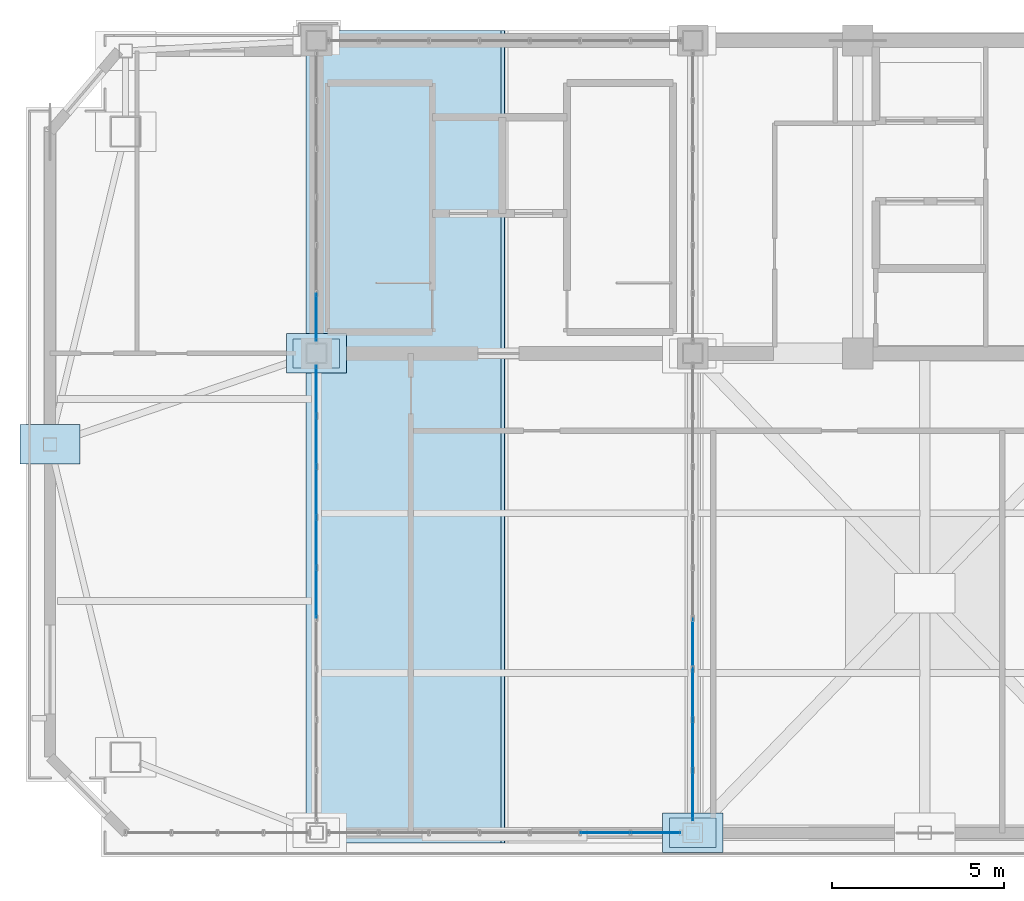
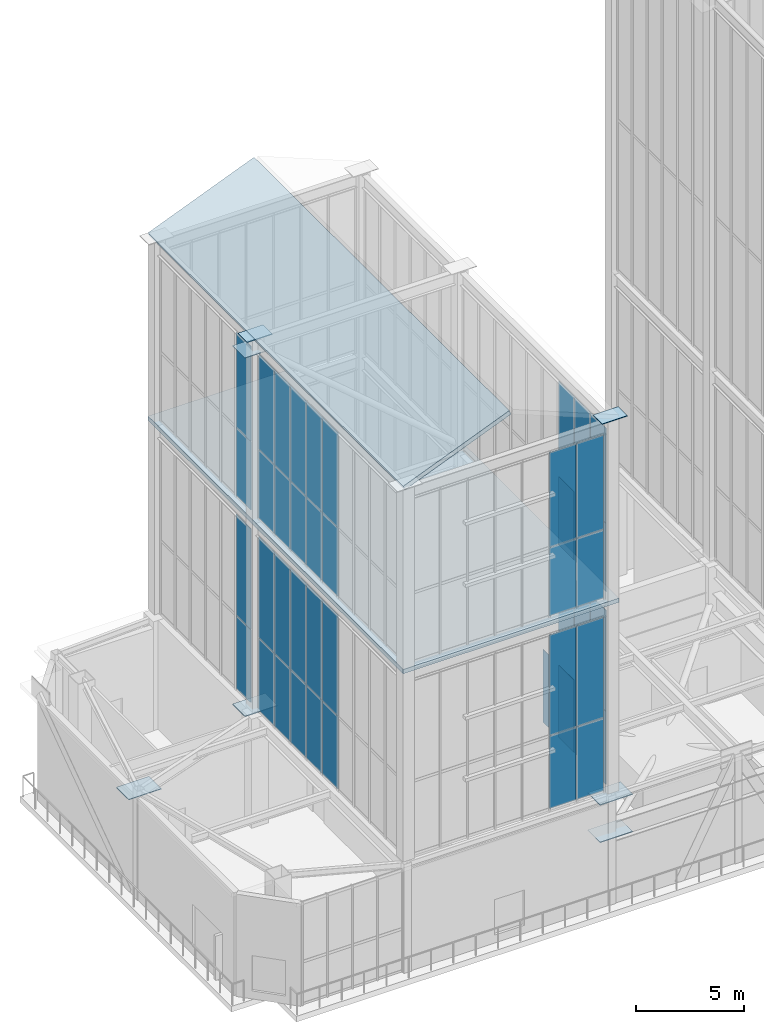
# One storey, part 124 of 135: 52 plates, 2 slabs, 8 elements without a shape of their own.
"""IFC4 building model written with IfcOpenShell, lengths in metres."""

from ifc_helpers import new_model, si_unit, direction, frame, origin, origin_2d, place, context, subcontext, project, spatial, polyline, rectangle, outline, extrude, source, transform, mapped, material, layer, layer_set, type_object, element, aggregate, save


model = new_model("IFC4")

# Units and contexts
model_context = context("Model", 3, precision=1e-05, world=origin(), true_north=direction((0.0, 1.0)))
body_context = subcontext(model_context, "Body", "Model", "MODEL_VIEW")
ifc_project = project(units=[si_unit("LENGTHUNIT", "METRE"), si_unit("AREAUNIT", "SQUARE_METRE"), si_unit("VOLUMEUNIT", "CUBIC_METRE"), si_unit("PLANEANGLEUNIT", "RADIAN"), si_unit("MASSUNIT", "GRAM", prefix="KILO")], contexts=[model_context])

# Site, building, storey
site_placement = place(None, origin())
site = spatial("IfcSite", under=ifc_project, at=site_placement, CompositionType="ELEMENT")
building_placement = place(site_placement, origin())
building = spatial("IfcBuilding", under=site, at=building_placement, Name="Giltprow Tower", CompositionType="ELEMENT")
storey_placement = place(building_placement, frame((0.0, 0.0, 352.699951171875)))
storey = spatial("IfcBuildingStorey", under=building, at=storey_placement, Name="L92", CompositionType="ELEMENT", Elevation=352.699951171875)

# Slabs
ifc_material_1 = material(Name="Concrete C40", Category="concrete")
ifc_layer_1 = layer(ifc_material_1, 0.239990234375, Name="Concrete C40")
ifc_layer_set_1 = layer_set([ifc_layer_1], Name="Concrete C40")
slab_type_1 = type_object("IfcSlabType", Name="SLB-CRN-DECK-240", PredefinedType="USERDEFINED", material=ifc_layer_set_1)
slab_1_placement = place(storey_placement, frame((0.0, 0.0, 17.06005859375)))
element("IfcSlab", 1, at=slab_1_placement, inside=storey, type_object=slab_type_1, Name="Crown West Lantern Plant Deck", ObjectType="PLANT_DECK", PredefinedType="USERDEFINED", context=body_context, shape_type="SweptSolid", body=[
    extrude(outline(polyline([(19.550048828125, 23.199951171875), (31.10009765625, 23.199951171875), (31.10009765625, 46.85009765625), (19.550048828125, 46.85009765625), (19.550048828125, 23.199951171875)])), origin(), (0.0, 0.0, 1.0), 0.239990234375),
])
ifc_layer_2 = layer(ifc_material_1, 0.25, Name="Concrete C40")
ifc_layer_set_2 = layer_set([ifc_layer_2], Name="Concrete C40")
slab_type_2 = type_object("IfcSlabType", Name="SLB-CRN-ROOF-250", PredefinedType="ROOF", material=ifc_layer_set_2)
slab_2_placement = place(storey_placement, frame((19.550048828125, 23.199951171875, 27.6669921875), z_axis=(-0.37450985994, 0.0, 0.927222931558), x_axis=(0.927222931558, 0.0, 0.37450985994)))
element("IfcSlab", 2, at=slab_2_placement, inside=storey, type_object=slab_type_2, Name="Crown West Pitched Roof Slab West", PredefinedType="ROOF", context=body_context, shape_type="SweptSolid", body=[
    extrude(outline(polyline([(0.0, 0.0), (6.122585798848525, 0.0), (6.122585798848525, 23.650146484375), (0.0, 23.650146484375), (0.0, 0.0)])), origin(), (0.0, 0.0, -1.0), 0.25),
])

# Plates
ifc_material_2 = material(Name="Structural steel Q420GJC", Category="steel")
plate_type_1 = type_object("IfcPlateType", Name="PLT-CAP-SEAL-INT", PredefinedType="USERDEFINED", material=ifc_material_2)
shared_shape_1 = source(origin(), body_context, "Body", "SweptSolid", [
    extrude(rectangle(XDim=1.75, YDim=1.14990234375, at=origin_2d()), origin(), (0.0, 0.0, 1.0), 0.0400390625),
])
for number, where, z_axis, x_axis, name in (
    (3, (30.800048828125, 23.5, 6.14013671875), (0.0, 0.0, 1.0), (1.0, 0.0, 0.0), "L92 Column Top Seal Plate S2"),
    (4, (12.10009765625, 34.800048828125, 6.14013671875), (0.0, 0.0, 1.0), (1.0, 0.0, 0.0), "L92 Column Top Seal Plate W_MID"),
    (5, (30.800048828125, 23.5, 4.030029296875), (0.0, 0.0, 1.0), (1.0, 0.0, 0.0), "TMD Strut Upper Seal 1"),
    (6, (19.85009765625, 37.449951171875, 6.530029296875), (0.0, 0.0, 1.0), (1.0, 0.0, 0.0), "Crown Brace Lower Seal Plate WEST-1"),
    (7, (19.85009765625, 37.449951171875, 26.797119140625), (0.0, 0.0, 1.0), (1.0, 0.0, 0.0), "Crown Brace Upper Seal Plate WEST-2"),
):
    element("IfcPlate", number, at=place(storey_placement, frame(where, z_axis=z_axis, x_axis=x_axis)), inside=storey, type_object=plate_type_1, Name=name, ObjectType="SPLICE", PredefinedType="USERDEFINED", context=body_context, shape_type="MappedRepresentation", body=[
        mapped(shared_shape_1, transform((0.0, 0.0, 0.0), x_axis=(1.0, 0.0, 0.0), y_axis=(0.0, 1.0, 0.0), z_axis=(0.0, 0.0, 1.0), scale=1.0)),
    ])
plate_type_2 = type_object("IfcPlateType", Name="PLT-NODE-CRN1", PredefinedType="USERDEFINED", material=ifc_material_2)
shared_shape_2 = source(origin(), body_context, "Body", "SweptSolid", [
    extrude(rectangle(XDim=1.35009765625, YDim=0.85009765625, at=origin_2d()), origin(), (0.0, 0.0, 1.0), 0.035888671875),
])
for number, where, z_axis, x_axis, name in (
    (8, (30.800048828125, 23.5, 27.529296875), (0.0, 0.0, 1.0), (1.0, 0.0, 0.0), "CRN1 Crown Frame Ring Node WEST-2"),
    (9, (19.85009765625, 37.449951171875, 27.529296875), (0.0, 0.0, 1.0), (1.0, 0.0, 0.0), "CRN1 Crown Frame Ring Node WEST-6"),
):
    element("IfcPlate", number, at=place(storey_placement, frame(where, z_axis=z_axis, x_axis=x_axis)), inside=storey, type_object=plate_type_2, Name=name, ObjectType="SPLICE", PredefinedType="USERDEFINED", context=body_context, shape_type="MappedRepresentation", body=[
        mapped(shared_shape_2, transform((0.0, 0.0, 0.0), x_axis=(1.0, 0.0, 0.0), y_axis=(0.0, 1.0, 0.0), z_axis=(0.0, 0.0, 1.0), scale=1.0)),
    ])

# Curtain wall, plates
ifc_material_3 = material(Name="Anodized bronze", Category="metal")
ifc_layer_3 = layer(ifc_material_3, 0.179931640625, Name="Anodized bronze")
ifc_layer_set_3 = layer_set([ifc_layer_3], Name="Anodized bronze")
curtain_wall_type = type_object("IfcCurtainWallType", Name="CW-CROWN-LANTERN", PredefinedType="NOTDEFINED", material=ifc_layer_set_3)
curtain_wall_1_placement = place(storey_placement, origin())
curtain_wall_1 = element("IfcCurtainWall", 10, at=curtain_wall_1_placement, inside=storey, type_object=curtain_wall_type, Name="Crown West Lower Lantern Glazing 1", PredefinedType="NOTDEFINED")
ifc_material_4 = material(Name="Insulated glass", Category="glass")
plate_type_3 = type_object("IfcPlateType", Name="CW-PANEL-IGU-28", PredefinedType="CURTAIN_PANEL", material=ifc_material_4)
shared_shape_3 = source(origin(), body_context, "Body", "SweptSolid", [
    extrude(rectangle(XDim=1.43408203125, YDim=0.028076171875, at=origin_2d()), origin(), (0.0, 0.0, 1.0), 4.111083984375),
])
plate_1_placement = place(storey_placement, frame((28.25390625, 23.5, 6.45361328125), z_axis=(0.0, 0.0, 1.0), x_axis=(1.0, 0.0, 0.0)))
plate_1 = element("IfcPlate", 11, at=plate_1_placement, type_object=plate_type_3, Name="Crown West Lower Lantern Glazing 1 Glazing Panel 6-1", PredefinedType="CURTAIN_PANEL", context=body_context, shape_type="MappedRepresentation", body=[
    mapped(shared_shape_3, transform((0.0, 0.0, 0.0), x_axis=(1.0, 0.0, 0.0), y_axis=(0.0, 1.0, 0.0), z_axis=(0.0, 0.0, 1.0), scale=1.0)),
])
plate_2_placement = place(storey_placement, frame((29.718017578125, 23.5, 6.45361328125), z_axis=(0.0, 0.0, 1.0), x_axis=(1.0, 0.0, 0.0)))
plate_2 = element("IfcPlate", 12, at=plate_2_placement, type_object=plate_type_3, Name="Crown West Lower Lantern Glazing 1 Glazing Panel 7-1", PredefinedType="CURTAIN_PANEL", context=body_context, shape_type="MappedRepresentation", body=[
    mapped(shared_shape_3, transform((0.0, 0.0, 0.0), x_axis=(1.0, 0.0, 0.0), y_axis=(0.0, 1.0, 0.0), z_axis=(0.0, 0.0, 1.0), scale=1.0)),
])
shared_shape_4 = source(origin(), body_context, "Body", "SweptSolid", [
    extrude(rectangle(XDim=1.43408203125, YDim=0.028076171875, at=origin_2d()), origin(), (0.0, 0.0, 1.0), 5.702880859375),
])
plate_3_placement = place(storey_placement, frame((28.25390625, 23.5, 10.5927734375), z_axis=(0.0, 0.0, 1.0), x_axis=(1.0, 0.0, 0.0)))
plate_3 = element("IfcPlate", 13, at=plate_3_placement, type_object=plate_type_3, Name="Crown West Lower Lantern Glazing 1 Glazing Panel 6-2", PredefinedType="CURTAIN_PANEL", context=body_context, shape_type="MappedRepresentation", body=[
    mapped(shared_shape_4, transform((0.0, 0.0, 0.0), x_axis=(1.0, 0.0, 0.0), y_axis=(0.0, 1.0, 0.0), z_axis=(0.0, 0.0, 1.0), scale=1.0)),
])
plate_4_placement = place(storey_placement, frame((29.718017578125, 23.5, 10.5927734375), z_axis=(0.0, 0.0, 1.0), x_axis=(1.0, 0.0, 0.0)))
plate_4 = element("IfcPlate", 14, at=plate_4_placement, type_object=plate_type_3, Name="Crown West Lower Lantern Glazing 1 Glazing Panel 7-2", PredefinedType="CURTAIN_PANEL", context=body_context, shape_type="MappedRepresentation", body=[
    mapped(shared_shape_4, transform((0.0, 0.0, 0.0), x_axis=(1.0, 0.0, 0.0), y_axis=(0.0, 1.0, 0.0), z_axis=(0.0, 0.0, 1.0), scale=1.0)),
])
aggregate(curtain_wall_1, [plate_1, plate_3, plate_2, plate_4])

curtain_wall_2_placement = place(storey_placement, origin())
curtain_wall_2 = element("IfcCurtainWall", 15, at=curtain_wall_2_placement, inside=storey, type_object=curtain_wall_type, Name="Crown West Upper Lantern Glazing 1", PredefinedType="NOTDEFINED")
shared_shape_5 = source(origin(), body_context, "Body", "SweptSolid", [
    extrude(rectangle(XDim=1.43408203125, YDim=0.028076171875, at=origin_2d()), origin(), (0.0, 0.0, 1.0), 3.865966796875),
])
plate_5_placement = place(storey_placement, frame((28.25390625, 23.5, 17.35400390625), z_axis=(0.0, 0.0, 1.0), x_axis=(1.0, 0.0, 0.0)))
plate_5 = element("IfcPlate", 16, at=plate_5_placement, type_object=plate_type_3, Name="Crown West Upper Lantern Glazing 1 Glazing Panel 6-1", PredefinedType="CURTAIN_PANEL", context=body_context, shape_type="MappedRepresentation", body=[
    mapped(shared_shape_5, transform((0.0, 0.0, 0.0), x_axis=(1.0, 0.0, 0.0), y_axis=(0.0, 1.0, 0.0), z_axis=(0.0, 0.0, 1.0), scale=1.0)),
])
plate_6_placement = place(storey_placement, frame((29.718017578125, 23.5, 17.35400390625), z_axis=(0.0, 0.0, 1.0), x_axis=(1.0, 0.0, 0.0)))
plate_6 = element("IfcPlate", 17, at=plate_6_placement, type_object=plate_type_3, Name="Crown West Upper Lantern Glazing 1 Glazing Panel 7-1", PredefinedType="CURTAIN_PANEL", context=body_context, shape_type="MappedRepresentation", body=[
    mapped(shared_shape_5, transform((0.0, 0.0, 0.0), x_axis=(1.0, 0.0, 0.0), y_axis=(0.0, 1.0, 0.0), z_axis=(0.0, 0.0, 1.0), scale=1.0)),
])
shared_shape_6 = source(origin(), body_context, "Body", "SweptSolid", [
    extrude(rectangle(XDim=1.43408203125, YDim=0.028076171875, at=origin_2d()), origin(), (0.0, 0.0, 1.0), 5.364990234375),
])
plate_7_placement = place(storey_placement, frame((28.25390625, 23.5, 21.24755859375), z_axis=(0.0, 0.0, 1.0), x_axis=(1.0, 0.0, 0.0)))
plate_7 = element("IfcPlate", 18, at=plate_7_placement, type_object=plate_type_3, Name="Crown West Upper Lantern Glazing 1 Glazing Panel 6-2", PredefinedType="CURTAIN_PANEL", context=body_context, shape_type="MappedRepresentation", body=[
    mapped(shared_shape_6, transform((0.0, 0.0, 0.0), x_axis=(1.0, 0.0, 0.0), y_axis=(0.0, 1.0, 0.0), z_axis=(0.0, 0.0, 1.0), scale=1.0)),
])
plate_8_placement = place(storey_placement, frame((29.718017578125, 23.5, 21.24755859375), z_axis=(0.0, 0.0, 1.0), x_axis=(1.0, 0.0, 0.0)))
plate_8 = element("IfcPlate", 19, at=plate_8_placement, type_object=plate_type_3, Name="Crown West Upper Lantern Glazing 1 Glazing Panel 7-2", PredefinedType="CURTAIN_PANEL", context=body_context, shape_type="MappedRepresentation", body=[
    mapped(shared_shape_6, transform((0.0, 0.0, 0.0), x_axis=(1.0, 0.0, 0.0), y_axis=(0.0, 1.0, 0.0), z_axis=(0.0, 0.0, 1.0), scale=1.0)),
])
aggregate(curtain_wall_2, [plate_5, plate_7, plate_6, plate_8])

curtain_wall_3_placement = place(storey_placement, origin())
curtain_wall_3 = element("IfcCurtainWall", 20, at=curtain_wall_3_placement, inside=storey, type_object=curtain_wall_type, Name="Crown West Lower Lantern Glazing 2", PredefinedType="NOTDEFINED")
shared_shape_7 = source(origin(), body_context, "Body", "SweptSolid", [
    extrude(rectangle(XDim=1.44189453125, YDim=0.028076171875, at=origin_2d()), origin(), (0.0, 0.0, 1.0), 4.111083984375),
])
plate_9_placement = place(storey_placement, frame((30.800048828125, 24.5859375, 6.45361328125), z_axis=(0.0, 0.0, 1.0), x_axis=(0.0, 1.0, 0.0)))
plate_9 = element("IfcPlate", 21, at=plate_9_placement, type_object=plate_type_3, Name="Crown West Lower Lantern Glazing 2 Glazing Panel 1-1", PredefinedType="CURTAIN_PANEL", context=body_context, shape_type="MappedRepresentation", body=[
    mapped(shared_shape_7, transform((0.0, 0.0, 0.0), x_axis=(1.0, 0.0, 0.0), y_axis=(0.0, 1.0, 0.0), z_axis=(0.0, 0.0, 1.0), scale=1.0)),
])
plate_10_placement = place(storey_placement, frame((30.800048828125, 26.05810546875, 6.45361328125), z_axis=(0.0, 0.0, 1.0), x_axis=(0.0, 1.0, 0.0)))
plate_10 = element("IfcPlate", 22, at=plate_10_placement, type_object=plate_type_3, Name="Crown West Lower Lantern Glazing 2 Glazing Panel 2-1", PredefinedType="CURTAIN_PANEL", context=body_context, shape_type="MappedRepresentation", body=[
    mapped(shared_shape_7, transform((0.0, 0.0, 0.0), x_axis=(1.0, 0.0, 0.0), y_axis=(0.0, 1.0, 0.0), z_axis=(0.0, 0.0, 1.0), scale=1.0)),
])
plate_11_placement = place(storey_placement, frame((30.800048828125, 27.531005859375, 6.45361328125), z_axis=(0.0, 0.0, 1.0), x_axis=(0.0, 1.0, 0.0)))
plate_11 = element("IfcPlate", 23, at=plate_11_placement, type_object=plate_type_3, Name="Crown West Lower Lantern Glazing 2 Glazing Panel 3-1", PredefinedType="CURTAIN_PANEL", context=body_context, shape_type="MappedRepresentation", body=[
    mapped(shared_shape_7, transform((0.0, 0.0, 0.0), x_axis=(1.0, 0.0, 0.0), y_axis=(0.0, 1.0, 0.0), z_axis=(0.0, 0.0, 1.0), scale=1.0)),
])
plate_12_placement = place(storey_placement, frame((30.800048828125, 29.0029296875, 6.45361328125), z_axis=(0.0, 0.0, 1.0), x_axis=(0.0, 1.0, 0.0)))
plate_12 = element("IfcPlate", 24, at=plate_12_placement, type_object=plate_type_3, Name="Crown West Lower Lantern Glazing 2 Glazing Panel 4-1", PredefinedType="CURTAIN_PANEL", context=body_context, shape_type="MappedRepresentation", body=[
    mapped(shared_shape_7, transform((0.0, 0.0, 0.0), x_axis=(1.0, 0.0, 0.0), y_axis=(0.0, 1.0, 0.0), z_axis=(0.0, 0.0, 1.0), scale=1.0)),
])

curtain_wall_4_placement = place(storey_placement, origin())
curtain_wall_4 = element("IfcCurtainWall", 25, at=curtain_wall_4_placement, inside=storey, type_object=curtain_wall_type, Name="Crown West Lower Lantern Glazing 6", PredefinedType="NOTDEFINED")
plate_13_placement = place(storey_placement, frame((19.85009765625, 36.364013671875, 6.45361328125), z_axis=(0.0, 0.0, 1.0), x_axis=(0.0, -1.0, 0.0)))
plate_13 = element("IfcPlate", 26, at=plate_13_placement, type_object=plate_type_3, Name="Crown West Lower Lantern Glazing 6 Glazing Panel 1-1", PredefinedType="CURTAIN_PANEL", context=body_context, shape_type="MappedRepresentation", body=[
    mapped(shared_shape_7, transform((0.0, 0.0, 0.0), x_axis=(1.0, 0.0, 0.0), y_axis=(0.0, 1.0, 0.0), z_axis=(0.0, 0.0, 1.0), scale=1.0)),
])
plate_14_placement = place(storey_placement, frame((19.85009765625, 34.89208984375, 6.45361328125), z_axis=(0.0, 0.0, 1.0), x_axis=(0.0, -1.0, 0.0)))
plate_14 = element("IfcPlate", 27, at=plate_14_placement, type_object=plate_type_3, Name="Crown West Lower Lantern Glazing 6 Glazing Panel 2-1", PredefinedType="CURTAIN_PANEL", context=body_context, shape_type="MappedRepresentation", body=[
    mapped(shared_shape_7, transform((0.0, 0.0, 0.0), x_axis=(1.0, 0.0, 0.0), y_axis=(0.0, 1.0, 0.0), z_axis=(0.0, 0.0, 1.0), scale=1.0)),
])
plate_15_placement = place(storey_placement, frame((19.85009765625, 33.4189453125, 6.45361328125), z_axis=(0.0, 0.0, 1.0), x_axis=(0.0, -1.0, 0.0)))
plate_15 = element("IfcPlate", 28, at=plate_15_placement, type_object=plate_type_3, Name="Crown West Lower Lantern Glazing 6 Glazing Panel 3-1", PredefinedType="CURTAIN_PANEL", context=body_context, shape_type="MappedRepresentation", body=[
    mapped(shared_shape_7, transform((0.0, 0.0, 0.0), x_axis=(1.0, 0.0, 0.0), y_axis=(0.0, 1.0, 0.0), z_axis=(0.0, 0.0, 1.0), scale=1.0)),
])
plate_16_placement = place(storey_placement, frame((19.85009765625, 31.947021484375, 6.45361328125), z_axis=(0.0, 0.0, 1.0), x_axis=(0.0, -1.0, 0.0)))
plate_16 = element("IfcPlate", 29, at=plate_16_placement, type_object=plate_type_3, Name="Crown West Lower Lantern Glazing 6 Glazing Panel 4-1", PredefinedType="CURTAIN_PANEL", context=body_context, shape_type="MappedRepresentation", body=[
    mapped(shared_shape_7, transform((0.0, 0.0, 0.0), x_axis=(1.0, 0.0, 0.0), y_axis=(0.0, 1.0, 0.0), z_axis=(0.0, 0.0, 1.0), scale=1.0)),
])
plate_17_placement = place(storey_placement, frame((19.85009765625, 30.47509765625, 6.45361328125), z_axis=(0.0, 0.0, 1.0), x_axis=(0.0, -1.0, 0.0)))
plate_17 = element("IfcPlate", 30, at=plate_17_placement, type_object=plate_type_3, Name="Crown West Lower Lantern Glazing 6 Glazing Panel 5-1", PredefinedType="CURTAIN_PANEL", context=body_context, shape_type="MappedRepresentation", body=[
    mapped(shared_shape_7, transform((0.0, 0.0, 0.0), x_axis=(1.0, 0.0, 0.0), y_axis=(0.0, 1.0, 0.0), z_axis=(0.0, 0.0, 1.0), scale=1.0)),
])

# Plate
shared_shape_8 = source(origin(), body_context, "Body", "SweptSolid", [
    extrude(rectangle(XDim=1.44189453125, YDim=0.028076171875, at=origin_2d()), origin(), (0.0, 0.0, 1.0), 5.702880859375),
])
plate_18_placement = place(storey_placement, frame((30.800048828125, 24.5859375, 10.5927734375), z_axis=(0.0, 0.0, 1.0), x_axis=(0.0, 1.0, 0.0)))
plate_18 = element("IfcPlate", 31, at=plate_18_placement, type_object=plate_type_3, Name="Crown West Lower Lantern Glazing 2 Glazing Panel 1-2", PredefinedType="CURTAIN_PANEL", context=body_context, shape_type="MappedRepresentation", body=[
    mapped(shared_shape_8, transform((0.0, 0.0, 0.0), x_axis=(1.0, 0.0, 0.0), y_axis=(0.0, 1.0, 0.0), z_axis=(0.0, 0.0, 1.0), scale=1.0)),
])

plate_19_placement = place(storey_placement, frame((30.800048828125, 26.05810546875, 10.5927734375), z_axis=(0.0, 0.0, 1.0), x_axis=(0.0, 1.0, 0.0)))
plate_19 = element("IfcPlate", 32, at=plate_19_placement, type_object=plate_type_3, Name="Crown West Lower Lantern Glazing 2 Glazing Panel 2-2", PredefinedType="CURTAIN_PANEL", context=body_context, shape_type="MappedRepresentation", body=[
    mapped(shared_shape_8, transform((0.0, 0.0, 0.0), x_axis=(1.0, 0.0, 0.0), y_axis=(0.0, 1.0, 0.0), z_axis=(0.0, 0.0, 1.0), scale=1.0)),
])

plate_20_placement = place(storey_placement, frame((30.800048828125, 27.531005859375, 10.5927734375), z_axis=(0.0, 0.0, 1.0), x_axis=(0.0, 1.0, 0.0)))
plate_20 = element("IfcPlate", 33, at=plate_20_placement, type_object=plate_type_3, Name="Crown West Lower Lantern Glazing 2 Glazing Panel 3-2", PredefinedType="CURTAIN_PANEL", context=body_context, shape_type="MappedRepresentation", body=[
    mapped(shared_shape_8, transform((0.0, 0.0, 0.0), x_axis=(1.0, 0.0, 0.0), y_axis=(0.0, 1.0, 0.0), z_axis=(0.0, 0.0, 1.0), scale=1.0)),
])

aggregate(curtain_wall_3, [plate_9, plate_18, plate_10, plate_19, plate_11, plate_20, plate_12])

plate_21_placement = place(storey_placement, frame((19.85009765625, 36.364013671875, 10.5927734375), z_axis=(0.0, 0.0, 1.0), x_axis=(0.0, -1.0, 0.0)))
plate_21 = element("IfcPlate", 34, at=plate_21_placement, type_object=plate_type_3, Name="Crown West Lower Lantern Glazing 6 Glazing Panel 1-2", PredefinedType="CURTAIN_PANEL", context=body_context, shape_type="MappedRepresentation", body=[
    mapped(shared_shape_8, transform((0.0, 0.0, 0.0), x_axis=(1.0, 0.0, 0.0), y_axis=(0.0, 1.0, 0.0), z_axis=(0.0, 0.0, 1.0), scale=1.0)),
])

plate_22_placement = place(storey_placement, frame((19.85009765625, 34.89208984375, 10.5927734375), z_axis=(0.0, 0.0, 1.0), x_axis=(0.0, -1.0, 0.0)))
plate_22 = element("IfcPlate", 35, at=plate_22_placement, type_object=plate_type_3, Name="Crown West Lower Lantern Glazing 6 Glazing Panel 2-2", PredefinedType="CURTAIN_PANEL", context=body_context, shape_type="MappedRepresentation", body=[
    mapped(shared_shape_8, transform((0.0, 0.0, 0.0), x_axis=(1.0, 0.0, 0.0), y_axis=(0.0, 1.0, 0.0), z_axis=(0.0, 0.0, 1.0), scale=1.0)),
])

plate_23_placement = place(storey_placement, frame((19.85009765625, 33.4189453125, 10.5927734375), z_axis=(0.0, 0.0, 1.0), x_axis=(0.0, -1.0, 0.0)))
plate_23 = element("IfcPlate", 36, at=plate_23_placement, type_object=plate_type_3, Name="Crown West Lower Lantern Glazing 6 Glazing Panel 3-2", PredefinedType="CURTAIN_PANEL", context=body_context, shape_type="MappedRepresentation", body=[
    mapped(shared_shape_8, transform((0.0, 0.0, 0.0), x_axis=(1.0, 0.0, 0.0), y_axis=(0.0, 1.0, 0.0), z_axis=(0.0, 0.0, 1.0), scale=1.0)),
])

plate_24_placement = place(storey_placement, frame((19.85009765625, 31.947021484375, 10.5927734375), z_axis=(0.0, 0.0, 1.0), x_axis=(0.0, -1.0, 0.0)))
plate_24 = element("IfcPlate", 37, at=plate_24_placement, type_object=plate_type_3, Name="Crown West Lower Lantern Glazing 6 Glazing Panel 4-2", PredefinedType="CURTAIN_PANEL", context=body_context, shape_type="MappedRepresentation", body=[
    mapped(shared_shape_8, transform((0.0, 0.0, 0.0), x_axis=(1.0, 0.0, 0.0), y_axis=(0.0, 1.0, 0.0), z_axis=(0.0, 0.0, 1.0), scale=1.0)),
])

plate_25_placement = place(storey_placement, frame((19.85009765625, 30.47509765625, 10.5927734375), z_axis=(0.0, 0.0, 1.0), x_axis=(0.0, -1.0, 0.0)))
plate_25 = element("IfcPlate", 38, at=plate_25_placement, type_object=plate_type_3, Name="Crown West Lower Lantern Glazing 6 Glazing Panel 5-2", PredefinedType="CURTAIN_PANEL", context=body_context, shape_type="MappedRepresentation", body=[
    mapped(shared_shape_8, transform((0.0, 0.0, 0.0), x_axis=(1.0, 0.0, 0.0), y_axis=(0.0, 1.0, 0.0), z_axis=(0.0, 0.0, 1.0), scale=1.0)),
])

aggregate(curtain_wall_4, [plate_13, plate_21, plate_14, plate_22, plate_15, plate_23, plate_16, plate_24, plate_17, plate_25])

# Curtain wall, plates
curtain_wall_5_placement = place(storey_placement, origin())
curtain_wall_5 = element("IfcCurtainWall", 39, at=curtain_wall_5_placement, inside=storey, type_object=curtain_wall_type, Name="Crown West Upper Lantern Glazing 2", PredefinedType="NOTDEFINED")
shared_shape_9 = source(origin(), body_context, "Body", "SweptSolid", [
    extrude(rectangle(XDim=1.44189453125, YDim=0.028076171875, at=origin_2d()), origin(), (0.0, 0.0, 1.0), 3.865966796875),
])
plate_26_placement = place(storey_placement, frame((30.800048828125, 24.5859375, 17.35400390625), z_axis=(0.0, 0.0, 1.0), x_axis=(0.0, 1.0, 0.0)))
plate_26 = element("IfcPlate", 40, at=plate_26_placement, type_object=plate_type_3, Name="Crown West Upper Lantern Glazing 2 Glazing Panel 1-1", PredefinedType="CURTAIN_PANEL", context=body_context, shape_type="MappedRepresentation", body=[
    mapped(shared_shape_9, transform((0.0, 0.0, 0.0), x_axis=(1.0, 0.0, 0.0), y_axis=(0.0, 1.0, 0.0), z_axis=(0.0, 0.0, 1.0), scale=1.0)),
])
plate_27_placement = place(storey_placement, frame((30.800048828125, 26.05810546875, 17.35400390625), z_axis=(0.0, 0.0, 1.0), x_axis=(0.0, 1.0, 0.0)))
plate_27 = element("IfcPlate", 41, at=plate_27_placement, type_object=plate_type_3, Name="Crown West Upper Lantern Glazing 2 Glazing Panel 2-1", PredefinedType="CURTAIN_PANEL", context=body_context, shape_type="MappedRepresentation", body=[
    mapped(shared_shape_9, transform((0.0, 0.0, 0.0), x_axis=(1.0, 0.0, 0.0), y_axis=(0.0, 1.0, 0.0), z_axis=(0.0, 0.0, 1.0), scale=1.0)),
])
plate_28_placement = place(storey_placement, frame((30.800048828125, 27.531005859375, 17.35400390625), z_axis=(0.0, 0.0, 1.0), x_axis=(0.0, 1.0, 0.0)))
plate_28 = element("IfcPlate", 42, at=plate_28_placement, type_object=plate_type_3, Name="Crown West Upper Lantern Glazing 2 Glazing Panel 3-1", PredefinedType="CURTAIN_PANEL", context=body_context, shape_type="MappedRepresentation", body=[
    mapped(shared_shape_9, transform((0.0, 0.0, 0.0), x_axis=(1.0, 0.0, 0.0), y_axis=(0.0, 1.0, 0.0), z_axis=(0.0, 0.0, 1.0), scale=1.0)),
])

curtain_wall_6_placement = place(storey_placement, origin())
curtain_wall_6 = element("IfcCurtainWall", 43, at=curtain_wall_6_placement, inside=storey, type_object=curtain_wall_type, Name="Crown West Upper Lantern Glazing 6", PredefinedType="NOTDEFINED")
plate_29_placement = place(storey_placement, frame((19.85009765625, 36.364013671875, 17.35400390625), z_axis=(0.0, 0.0, 1.0), x_axis=(0.0, -1.0, 0.0)))
plate_29 = element("IfcPlate", 44, at=plate_29_placement, type_object=plate_type_3, Name="Crown West Upper Lantern Glazing 6 Glazing Panel 1-1", PredefinedType="CURTAIN_PANEL", context=body_context, shape_type="MappedRepresentation", body=[
    mapped(shared_shape_9, transform((0.0, 0.0, 0.0), x_axis=(1.0, 0.0, 0.0), y_axis=(0.0, 1.0, 0.0), z_axis=(0.0, 0.0, 1.0), scale=1.0)),
])
plate_30_placement = place(storey_placement, frame((19.85009765625, 34.89208984375, 17.35400390625), z_axis=(0.0, 0.0, 1.0), x_axis=(0.0, -1.0, 0.0)))
plate_30 = element("IfcPlate", 45, at=plate_30_placement, type_object=plate_type_3, Name="Crown West Upper Lantern Glazing 6 Glazing Panel 2-1", PredefinedType="CURTAIN_PANEL", context=body_context, shape_type="MappedRepresentation", body=[
    mapped(shared_shape_9, transform((0.0, 0.0, 0.0), x_axis=(1.0, 0.0, 0.0), y_axis=(0.0, 1.0, 0.0), z_axis=(0.0, 0.0, 1.0), scale=1.0)),
])
plate_31_placement = place(storey_placement, frame((19.85009765625, 33.4189453125, 17.35400390625), z_axis=(0.0, 0.0, 1.0), x_axis=(0.0, -1.0, 0.0)))
plate_31 = element("IfcPlate", 46, at=plate_31_placement, type_object=plate_type_3, Name="Crown West Upper Lantern Glazing 6 Glazing Panel 3-1", PredefinedType="CURTAIN_PANEL", context=body_context, shape_type="MappedRepresentation", body=[
    mapped(shared_shape_9, transform((0.0, 0.0, 0.0), x_axis=(1.0, 0.0, 0.0), y_axis=(0.0, 1.0, 0.0), z_axis=(0.0, 0.0, 1.0), scale=1.0)),
])
plate_32_placement = place(storey_placement, frame((19.85009765625, 31.947021484375, 17.35400390625), z_axis=(0.0, 0.0, 1.0), x_axis=(0.0, -1.0, 0.0)))
plate_32 = element("IfcPlate", 47, at=plate_32_placement, type_object=plate_type_3, Name="Crown West Upper Lantern Glazing 6 Glazing Panel 4-1", PredefinedType="CURTAIN_PANEL", context=body_context, shape_type="MappedRepresentation", body=[
    mapped(shared_shape_9, transform((0.0, 0.0, 0.0), x_axis=(1.0, 0.0, 0.0), y_axis=(0.0, 1.0, 0.0), z_axis=(0.0, 0.0, 1.0), scale=1.0)),
])
plate_33_placement = place(storey_placement, frame((19.85009765625, 30.47509765625, 17.35400390625), z_axis=(0.0, 0.0, 1.0), x_axis=(0.0, -1.0, 0.0)))
plate_33 = element("IfcPlate", 48, at=plate_33_placement, type_object=plate_type_3, Name="Crown West Upper Lantern Glazing 6 Glazing Panel 5-1", PredefinedType="CURTAIN_PANEL", context=body_context, shape_type="MappedRepresentation", body=[
    mapped(shared_shape_9, transform((0.0, 0.0, 0.0), x_axis=(1.0, 0.0, 0.0), y_axis=(0.0, 1.0, 0.0), z_axis=(0.0, 0.0, 1.0), scale=1.0)),
])

# Plate
shared_shape_10 = source(origin(), body_context, "Body", "SweptSolid", [
    extrude(rectangle(XDim=1.44189453125, YDim=0.028076171875, at=origin_2d()), origin(), (0.0, 0.0, 1.0), 5.364990234375),
])
plate_34_placement = place(storey_placement, frame((30.800048828125, 24.5859375, 21.24755859375), z_axis=(0.0, 0.0, 1.0), x_axis=(0.0, 1.0, 0.0)))
plate_34 = element("IfcPlate", 49, at=plate_34_placement, type_object=plate_type_3, Name="Crown West Upper Lantern Glazing 2 Glazing Panel 1-2", PredefinedType="CURTAIN_PANEL", context=body_context, shape_type="MappedRepresentation", body=[
    mapped(shared_shape_10, transform((0.0, 0.0, 0.0), x_axis=(1.0, 0.0, 0.0), y_axis=(0.0, 1.0, 0.0), z_axis=(0.0, 0.0, 1.0), scale=1.0)),
])

plate_35_placement = place(storey_placement, frame((30.800048828125, 26.05810546875, 21.24755859375), z_axis=(0.0, 0.0, 1.0), x_axis=(0.0, 1.0, 0.0)))
plate_35 = element("IfcPlate", 50, at=plate_35_placement, type_object=plate_type_3, Name="Crown West Upper Lantern Glazing 2 Glazing Panel 2-2", PredefinedType="CURTAIN_PANEL", context=body_context, shape_type="MappedRepresentation", body=[
    mapped(shared_shape_10, transform((0.0, 0.0, 0.0), x_axis=(1.0, 0.0, 0.0), y_axis=(0.0, 1.0, 0.0), z_axis=(0.0, 0.0, 1.0), scale=1.0)),
])

plate_36_placement = place(storey_placement, frame((30.800048828125, 27.531005859375, 21.24755859375), z_axis=(0.0, 0.0, 1.0), x_axis=(0.0, 1.0, 0.0)))
plate_36 = element("IfcPlate", 51, at=plate_36_placement, type_object=plate_type_3, Name="Crown West Upper Lantern Glazing 2 Glazing Panel 3-2", PredefinedType="CURTAIN_PANEL", context=body_context, shape_type="MappedRepresentation", body=[
    mapped(shared_shape_10, transform((0.0, 0.0, 0.0), x_axis=(1.0, 0.0, 0.0), y_axis=(0.0, 1.0, 0.0), z_axis=(0.0, 0.0, 1.0), scale=1.0)),
])

aggregate(curtain_wall_5, [plate_26, plate_34, plate_27, plate_35, plate_28, plate_36])

plate_37_placement = place(storey_placement, frame((19.85009765625, 36.364013671875, 21.24755859375), z_axis=(0.0, 0.0, 1.0), x_axis=(0.0, -1.0, 0.0)))
plate_37 = element("IfcPlate", 52, at=plate_37_placement, type_object=plate_type_3, Name="Crown West Upper Lantern Glazing 6 Glazing Panel 1-2", PredefinedType="CURTAIN_PANEL", context=body_context, shape_type="MappedRepresentation", body=[
    mapped(shared_shape_10, transform((0.0, 0.0, 0.0), x_axis=(1.0, 0.0, 0.0), y_axis=(0.0, 1.0, 0.0), z_axis=(0.0, 0.0, 1.0), scale=1.0)),
])

plate_38_placement = place(storey_placement, frame((19.85009765625, 34.89208984375, 21.24755859375), z_axis=(0.0, 0.0, 1.0), x_axis=(0.0, -1.0, 0.0)))
plate_38 = element("IfcPlate", 53, at=plate_38_placement, type_object=plate_type_3, Name="Crown West Upper Lantern Glazing 6 Glazing Panel 2-2", PredefinedType="CURTAIN_PANEL", context=body_context, shape_type="MappedRepresentation", body=[
    mapped(shared_shape_10, transform((0.0, 0.0, 0.0), x_axis=(1.0, 0.0, 0.0), y_axis=(0.0, 1.0, 0.0), z_axis=(0.0, 0.0, 1.0), scale=1.0)),
])

plate_39_placement = place(storey_placement, frame((19.85009765625, 33.4189453125, 21.24755859375), z_axis=(0.0, 0.0, 1.0), x_axis=(0.0, -1.0, 0.0)))
plate_39 = element("IfcPlate", 54, at=plate_39_placement, type_object=plate_type_3, Name="Crown West Upper Lantern Glazing 6 Glazing Panel 3-2", PredefinedType="CURTAIN_PANEL", context=body_context, shape_type="MappedRepresentation", body=[
    mapped(shared_shape_10, transform((0.0, 0.0, 0.0), x_axis=(1.0, 0.0, 0.0), y_axis=(0.0, 1.0, 0.0), z_axis=(0.0, 0.0, 1.0), scale=1.0)),
])

plate_40_placement = place(storey_placement, frame((19.85009765625, 31.947021484375, 21.24755859375), z_axis=(0.0, 0.0, 1.0), x_axis=(0.0, -1.0, 0.0)))
plate_40 = element("IfcPlate", 55, at=plate_40_placement, type_object=plate_type_3, Name="Crown West Upper Lantern Glazing 6 Glazing Panel 4-2", PredefinedType="CURTAIN_PANEL", context=body_context, shape_type="MappedRepresentation", body=[
    mapped(shared_shape_10, transform((0.0, 0.0, 0.0), x_axis=(1.0, 0.0, 0.0), y_axis=(0.0, 1.0, 0.0), z_axis=(0.0, 0.0, 1.0), scale=1.0)),
])

plate_41_placement = place(storey_placement, frame((19.85009765625, 30.47509765625, 21.24755859375), z_axis=(0.0, 0.0, 1.0), x_axis=(0.0, -1.0, 0.0)))
plate_41 = element("IfcPlate", 56, at=plate_41_placement, type_object=plate_type_3, Name="Crown West Upper Lantern Glazing 6 Glazing Panel 5-2", PredefinedType="CURTAIN_PANEL", context=body_context, shape_type="MappedRepresentation", body=[
    mapped(shared_shape_10, transform((0.0, 0.0, 0.0), x_axis=(1.0, 0.0, 0.0), y_axis=(0.0, 1.0, 0.0), z_axis=(0.0, 0.0, 1.0), scale=1.0)),
])

aggregate(curtain_wall_6, [plate_29, plate_37, plate_30, plate_38, plate_31, plate_39, plate_32, plate_40, plate_33, plate_41])

# Curtain wall, plates
curtain_wall_7_placement = place(storey_placement, origin())
curtain_wall_7 = element("IfcCurtainWall", 57, at=curtain_wall_7_placement, inside=storey, type_object=curtain_wall_type, Name="Crown West Lower Lantern Glazing 5", PredefinedType="NOTDEFINED")
shared_shape_11 = source(origin(), body_context, "Body", "SweptSolid", [
    extrude(rectangle(XDim=1.3701171875, YDim=0.028076171875, at=origin_2d()), origin(), (0.0, 0.0, 1.0), 4.111083984375),
])
plate_42_placement = place(storey_placement, frame((19.85009765625, 38.5, 6.45361328125), z_axis=(0.0, 0.0, 1.0), x_axis=(0.0, -1.0, 0.0)))
plate_42 = element("IfcPlate", 58, at=plate_42_placement, type_object=plate_type_3, Name="Crown West Lower Lantern Glazing 5 Glazing Panel 6-1", PredefinedType="CURTAIN_PANEL", context=body_context, shape_type="MappedRepresentation", body=[
    mapped(shared_shape_11, transform((0.0, 0.0, 0.0), x_axis=(1.0, 0.0, 0.0), y_axis=(0.0, 1.0, 0.0), z_axis=(0.0, 0.0, 1.0), scale=1.0)),
])
shared_shape_12 = source(origin(), body_context, "Body", "SweptSolid", [
    extrude(rectangle(XDim=1.3701171875, YDim=0.028076171875, at=origin_2d()), origin(), (0.0, 0.0, 1.0), 5.702880859375),
])
plate_43_placement = place(storey_placement, frame((19.85009765625, 38.5, 10.5927734375), z_axis=(0.0, 0.0, 1.0), x_axis=(0.0, -1.0, 0.0)))
plate_43 = element("IfcPlate", 59, at=plate_43_placement, type_object=plate_type_3, Name="Crown West Lower Lantern Glazing 5 Glazing Panel 6-2", PredefinedType="CURTAIN_PANEL", context=body_context, shape_type="MappedRepresentation", body=[
    mapped(shared_shape_12, transform((0.0, 0.0, 0.0), x_axis=(1.0, 0.0, 0.0), y_axis=(0.0, 1.0, 0.0), z_axis=(0.0, 0.0, 1.0), scale=1.0)),
])
aggregate(curtain_wall_7, [plate_42, plate_43])

curtain_wall_8_placement = place(storey_placement, origin())
curtain_wall_8 = element("IfcCurtainWall", 60, at=curtain_wall_8_placement, inside=storey, type_object=curtain_wall_type, Name="Crown West Upper Lantern Glazing 5", PredefinedType="NOTDEFINED")
shared_shape_13 = source(origin(), body_context, "Body", "SweptSolid", [
    extrude(rectangle(XDim=1.3701171875, YDim=0.028076171875, at=origin_2d()), origin(), (0.0, 0.0, 1.0), 3.865966796875),
])
plate_44_placement = place(storey_placement, frame((19.85009765625, 38.5, 17.35400390625), z_axis=(0.0, 0.0, 1.0), x_axis=(0.0, -1.0, 0.0)))
plate_44 = element("IfcPlate", 61, at=plate_44_placement, type_object=plate_type_3, Name="Crown West Upper Lantern Glazing 5 Glazing Panel 6-1", PredefinedType="CURTAIN_PANEL", context=body_context, shape_type="MappedRepresentation", body=[
    mapped(shared_shape_13, transform((0.0, 0.0, 0.0), x_axis=(1.0, 0.0, 0.0), y_axis=(0.0, 1.0, 0.0), z_axis=(0.0, 0.0, 1.0), scale=1.0)),
])
shared_shape_14 = source(origin(), body_context, "Body", "SweptSolid", [
    extrude(rectangle(XDim=1.3701171875, YDim=0.028076171875, at=origin_2d()), origin(), (0.0, 0.0, 1.0), 5.364990234375),
])
plate_45_placement = place(storey_placement, frame((19.85009765625, 38.5, 21.24755859375), z_axis=(0.0, 0.0, 1.0), x_axis=(0.0, -1.0, 0.0)))
plate_45 = element("IfcPlate", 62, at=plate_45_placement, type_object=plate_type_3, Name="Crown West Upper Lantern Glazing 5 Glazing Panel 6-2", PredefinedType="CURTAIN_PANEL", context=body_context, shape_type="MappedRepresentation", body=[
    mapped(shared_shape_14, transform((0.0, 0.0, 0.0), x_axis=(1.0, 0.0, 0.0), y_axis=(0.0, 1.0, 0.0), z_axis=(0.0, 0.0, 1.0), scale=1.0)),
])
aggregate(curtain_wall_8, [plate_44, plate_45])

save(model, "model.ifc")
